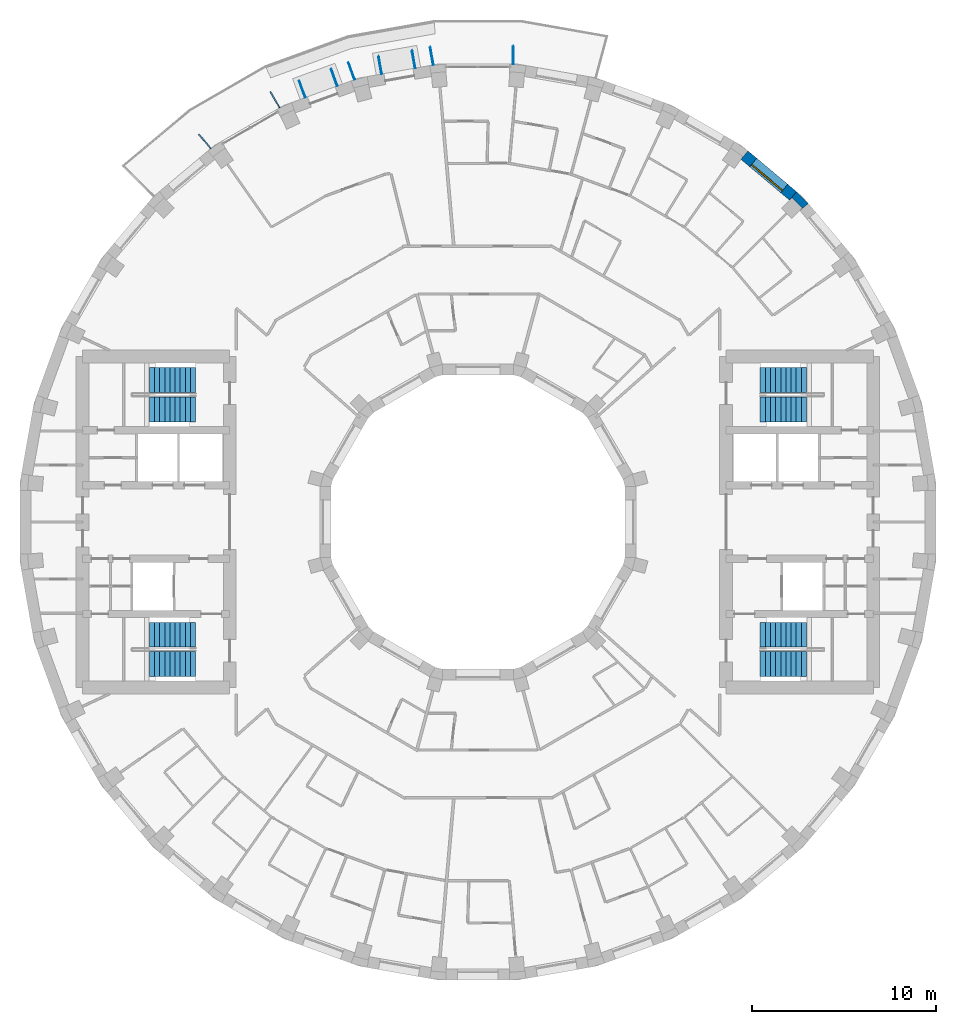
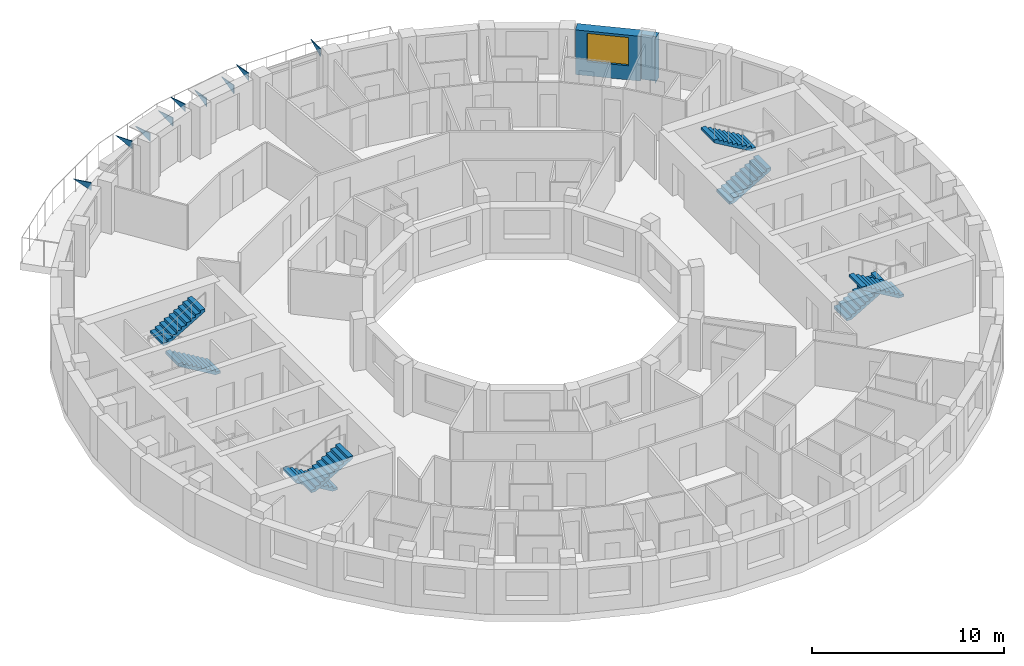
# One storey, part 13 of 14: 9 discrete accessories, 8 stair flights, 2 walls, 1 window, 1 opening, 4 elements without a shape of their own.
"""IFC4 building model written with IfcOpenShell, lengths in metres."""

from ifc_helpers import new_model, si_unit, direction, frame, frame_2d, origin, place, context, subcontext, project, spatial, polyline, rectangle, outline, extrude, material, layer, layer_set, type_object, element, fill, aggregate, save


model = new_model("IFC4")

# Units and contexts
model_context = context("Model", 3, precision=1e-05, world=origin(), true_north=direction((0.0, 1.0)))
body_context = subcontext(model_context, "Body", "Model", "MODEL_VIEW")
ifc_project = project(units=[si_unit("LENGTHUNIT", "METRE"), si_unit("AREAUNIT", "SQUARE_METRE"), si_unit("VOLUMEUNIT", "CUBIC_METRE"), si_unit("PLANEANGLEUNIT", "RADIAN"), si_unit("MASSUNIT", "GRAM", prefix="KILO")], contexts=[model_context])

# Site, building, storey
site_placement = place(None, origin())
site = spatial("IfcSite", under=ifc_project, at=site_placement, CompositionType="ELEMENT")
building_placement = place(site_placement, origin())
building = spatial("IfcBuilding", under=site, at=building_placement, Name="Saqina Gate Tower", CompositionType="ELEMENT")
storey_placement = place(building_placement, frame((0.0, 0.0, 210.300048828125)))
storey = spatial("IfcBuildingStorey", under=building, at=storey_placement, Name="L60", CompositionType="ELEMENT", Elevation=210.300048828125)

# Wall
ifc_material_1 = material(Name="Brick masonry (buff)", Category="masonry")
wall_type_1 = type_object("IfcWallType", Name="BRICK PIER COPING BUFF", PredefinedType="SOLIDWALL", material=ifc_material_1)
wall_1_placement = place(storey_placement, origin())
element("IfcWall", 1, at=wall_1_placement, inside=storey, type_object=wall_type_1, Name="Pier cap L60 column 5", PredefinedType="SOLIDWALL", context=body_context, shape_type="SweptSolid", body=[
    extrude(outline(polyline([(17.329833984375, 17.969482421875), (16.944091796875, 17.510009765625), (17.07666015625, 17.642333984375), (17.642333984375, 17.07666015625), (17.510009765625, 16.944091796875), (17.969482421875, 17.329833984375), (17.329833984375, 17.969482421875)])), origin(), (0.0, 0.0, 1.0), 2.849853515625),
])

# Wall, opening, window
ifc_material_2 = material(Name="Brick masonry (buff)", Category="masonry")
ifc_layer_1 = layer(ifc_material_2, 0.60009765625)
ifc_layer_set_1 = layer_set([ifc_layer_1], Name="FW-BRICK-BUFF")
wall_type_2 = type_object("IfcWallType", Name="FW-BRICK-BUFF", PredefinedType="SOLIDWALL", material=ifc_layer_set_1)
wall_2_placement = place(storey_placement, frame((17.136962890625, 17.73974609375, 0.0), z_axis=(0.0, 0.0, 1.0), x_axis=(-0.766058884809, 0.642770398358, 0.0)))
wall_2 = element("IfcWall", 2, at=wall_2_placement, inside=storey, type_object=wall_type_2, Name="Facade wall L60 facet 5", PredefinedType="SOLIDWALL", context=body_context, shape_type="SweptSolid", body=[
    extrude(rectangle(XDim=3.449462890625, YDim=0.60009765625, at=frame_2d((1.724609375, 0.0))), origin(), (0.0, 0.0, 1.0), 2.849853515625),
])
opening_placement = place(wall_2_placement, frame((0.625, 0.0, 0.89990234375)))
opening = element("IfcOpeningElement", 3, at=opening_placement, cuts=wall_2, Name="Opening G18-W03", PredefinedType="OPENING", context=body_context, shape_type="SweptSolid", body=[
    extrude(rectangle(XDim=2.199951171875, YDim=1.800048828125, at=frame_2d((1.10009765625, 0.89990234375))), frame((0.0, 0.31201171875, 0.0), z_axis=(0.0, -1.0, 0.0), x_axis=(1.0, 0.0, 0.0)), (0.0, 0.0, 1.0), 0.6240234375),
])
ifc_material_3 = material(Name="Aluminium glazing", Category="aluminium")
window_type = type_object("IfcWindowType", Name="WN-C", PartitioningType="SINGLE_PANEL", PredefinedType="WINDOW", material=ifc_material_3)
window_placement = place(opening_placement, origin())
window = element("IfcWindow", 4, at=window_placement, inside=storey, type_object=window_type, Name="Window L60 facet 5", OverallHeight=1.800048828125, OverallWidth=2.199951171875, PartitioningType="SINGLE_PANEL", PredefinedType="WINDOW", context=body_context, shape_type="SweptSolid", body=[
    extrude(rectangle(XDim=2.199951171875, YDim=1.800048828125, at=frame_2d((1.10009765625, 0.89990234375))), frame((0.0, 0.179931640625, 0.0), z_axis=(0.0, -1.0, 0.0), x_axis=(1.0, 0.0, 0.0)), (0.0, 0.0, 1.0), 0.06005859375),
])
fill(opening, window)

# Stair, stair flights
ifc_material_4 = material(Name="Concrete C40/50", Category="concrete")
stair_type = type_object("IfcStairType", Name="EXIT STAIR", PredefinedType="HALF_TURN_STAIR", material=ifc_material_4)
stair_1_placement = place(storey_placement, origin())
stair_1 = element("IfcStair", 5, at=stair_1_placement, inside=storey, type_object=stair_type, Name="EXIT STAIR 1", PredefinedType="HALF_TURN_STAIR")
ifc_material_5 = material(Name="Concrete C40/50", Category="concrete")
stair_flight_type = type_object("IfcStairFlightType", Name="EXIT STAIR FLIGHT", PredefinedType="STRAIGHT", material=ifc_material_5)
stair_flight_1_placement = place(storey_placement, frame((15.35009765625, 6.125, 0.0), z_axis=(0.0, 0.0, 1.0), x_axis=(1.0, 0.0, 0.0)))
stair_flight_1 = element("IfcStairFlight", 6, at=stair_flight_1_placement, type_object=stair_flight_type, Name="EXIT STAIR 1 FLIGHT 1", NumberOfRisers=10, NumberOfTreads=9, PredefinedType="STRAIGHT", RiserHeight=0.165, TreadLength=0.28, context=body_context, shape_type="SweptSolid", body=[
    extrude(outline(polyline([(0.0, 0.0), (0.0, 0.1650390625), (0.280029296875, 0.1650390625), (0.280029296875, 0.330078125), (0.56005859375, 0.330078125), (0.56005859375, 0.4951171875), (0.840087890625, 0.4951171875), (0.840087890625, 0.659912109375), (1.1201171875, 0.659912109375), (1.1201171875, 0.824951171875), (1.39990234375, 0.824951171875), (1.39990234375, 0.989990234375), (1.679931640625, 0.989990234375), (1.679931640625, 1.155029296875), (1.9599609375, 1.155029296875), (1.9599609375, 1.320068359375), (2.239990234375, 1.320068359375), (2.239990234375, 1.485107421875), (2.52001953125, 1.485107421875), (2.52001953125, 1.64990234375), (2.52001953125, 1.31103515625), (0.295166015625, 0.0), (0.0, 0.0)])), frame((0.0, 0.675048828125, 0.0), z_axis=(0.0, -1.0, 0.0), x_axis=(1.0, 0.0, 0.0)), (0.0, 0.0, 1.0), 1.35009765625),
])
stair_flight_2_placement = place(storey_placement, frame((17.8701171875, 7.72509765625, 1.64990234375), z_axis=(0.0, 0.0, 1.0), x_axis=(-1.0, 0.0, 0.0)))
stair_flight_2 = element("IfcStairFlight", 7, at=stair_flight_2_placement, type_object=stair_flight_type, Name="EXIT STAIR 1 FLIGHT 2", NumberOfRisers=10, NumberOfTreads=9, PredefinedType="STRAIGHT", RiserHeight=0.165, TreadLength=0.28, context=body_context, shape_type="SweptSolid", body=[
    extrude(outline(polyline([(0.0, 0.0), (0.0, 0.1650390625), (0.280029296875, 0.1650390625), (0.280029296875, 0.330078125), (0.56005859375, 0.330078125), (0.56005859375, 0.4951171875), (0.840087890625, 0.4951171875), (0.840087890625, 0.659912109375), (1.1201171875, 0.659912109375), (1.1201171875, 0.824951171875), (1.39990234375, 0.824951171875), (1.39990234375, 0.989990234375), (1.679931640625, 0.989990234375), (1.679931640625, 1.155029296875), (1.9599609375, 1.155029296875), (1.9599609375, 1.320068359375), (2.239990234375, 1.320068359375), (2.239990234375, 1.485107421875), (2.52001953125, 1.485107421875), (2.52001953125, 1.64990234375), (2.52001953125, 1.31103515625), (0.295166015625, 0.0), (0.0, 0.0)])), frame((0.0, 0.675048828125, 0.0), z_axis=(0.0, -1.0, 0.0), x_axis=(1.0, 0.0, 0.0)), (0.0, 0.0, 1.0), 1.35009765625),
])
aggregate(stair_1, [stair_flight_1, stair_flight_2])

stair_2_placement = place(storey_placement, origin())
stair_2 = element("IfcStair", 8, at=stair_2_placement, inside=storey, type_object=stair_type, Name="EXIT STAIR 2", PredefinedType="HALF_TURN_STAIR")
stair_flight_3_placement = place(storey_placement, frame((15.35009765625, -6.125, 0.0), z_axis=(0.0, 0.0, 1.0), x_axis=(1.0, 0.0, 0.0)))
stair_flight_3 = element("IfcStairFlight", 9, at=stair_flight_3_placement, type_object=stair_flight_type, Name="EXIT STAIR 2 FLIGHT 1", NumberOfRisers=10, NumberOfTreads=9, PredefinedType="STRAIGHT", RiserHeight=0.165, TreadLength=0.28, context=body_context, shape_type="SweptSolid", body=[
    extrude(outline(polyline([(0.0, 0.0), (0.0, 0.1650390625), (0.280029296875, 0.1650390625), (0.280029296875, 0.330078125), (0.56005859375, 0.330078125), (0.56005859375, 0.4951171875), (0.840087890625, 0.4951171875), (0.840087890625, 0.659912109375), (1.1201171875, 0.659912109375), (1.1201171875, 0.824951171875), (1.39990234375, 0.824951171875), (1.39990234375, 0.989990234375), (1.679931640625, 0.989990234375), (1.679931640625, 1.155029296875), (1.9599609375, 1.155029296875), (1.9599609375, 1.320068359375), (2.239990234375, 1.320068359375), (2.239990234375, 1.485107421875), (2.52001953125, 1.485107421875), (2.52001953125, 1.64990234375), (2.52001953125, 1.31103515625), (0.295166015625, 0.0), (0.0, 0.0)])), frame((0.0, 0.675048828125, 0.0), z_axis=(0.0, -1.0, 0.0), x_axis=(1.0, 0.0, 0.0)), (0.0, 0.0, 1.0), 1.35009765625),
])
stair_flight_4_placement = place(storey_placement, frame((17.8701171875, -7.72509765625, 1.64990234375), z_axis=(0.0, 0.0, 1.0), x_axis=(-1.0, 0.0, 0.0)))
stair_flight_4 = element("IfcStairFlight", 10, at=stair_flight_4_placement, type_object=stair_flight_type, Name="EXIT STAIR 2 FLIGHT 2", NumberOfRisers=10, NumberOfTreads=9, PredefinedType="STRAIGHT", RiserHeight=0.165, TreadLength=0.28, context=body_context, shape_type="SweptSolid", body=[
    extrude(outline(polyline([(0.0, 0.0), (0.0, 0.1650390625), (0.280029296875, 0.1650390625), (0.280029296875, 0.330078125), (0.56005859375, 0.330078125), (0.56005859375, 0.4951171875), (0.840087890625, 0.4951171875), (0.840087890625, 0.659912109375), (1.1201171875, 0.659912109375), (1.1201171875, 0.824951171875), (1.39990234375, 0.824951171875), (1.39990234375, 0.989990234375), (1.679931640625, 0.989990234375), (1.679931640625, 1.155029296875), (1.9599609375, 1.155029296875), (1.9599609375, 1.320068359375), (2.239990234375, 1.320068359375), (2.239990234375, 1.485107421875), (2.52001953125, 1.485107421875), (2.52001953125, 1.64990234375), (2.52001953125, 1.31103515625), (0.295166015625, 0.0), (0.0, 0.0)])), frame((0.0, 0.675048828125, 0.0), z_axis=(0.0, -1.0, 0.0), x_axis=(1.0, 0.0, 0.0)), (0.0, 0.0, 1.0), 1.35009765625),
])
aggregate(stair_2, [stair_flight_3, stair_flight_4])

stair_3_placement = place(storey_placement, origin())
stair_3 = element("IfcStair", 11, at=stair_3_placement, inside=storey, type_object=stair_type, Name="EXIT STAIR 3", PredefinedType="HALF_TURN_STAIR")
stair_flight_5_placement = place(storey_placement, frame((-15.35009765625, 6.125, 0.0), z_axis=(0.0, 0.0, 1.0), x_axis=(-1.0, 0.0, 0.0)))
stair_flight_5 = element("IfcStairFlight", 12, at=stair_flight_5_placement, type_object=stair_flight_type, Name="EXIT STAIR 3 FLIGHT 1", NumberOfRisers=10, NumberOfTreads=9, PredefinedType="STRAIGHT", RiserHeight=0.165, TreadLength=0.28, context=body_context, shape_type="SweptSolid", body=[
    extrude(outline(polyline([(0.0, 0.0), (0.0, 0.1650390625), (0.280029296875, 0.1650390625), (0.280029296875, 0.330078125), (0.56005859375, 0.330078125), (0.56005859375, 0.4951171875), (0.840087890625, 0.4951171875), (0.840087890625, 0.659912109375), (1.1201171875, 0.659912109375), (1.1201171875, 0.824951171875), (1.39990234375, 0.824951171875), (1.39990234375, 0.989990234375), (1.679931640625, 0.989990234375), (1.679931640625, 1.155029296875), (1.9599609375, 1.155029296875), (1.9599609375, 1.320068359375), (2.239990234375, 1.320068359375), (2.239990234375, 1.485107421875), (2.52001953125, 1.485107421875), (2.52001953125, 1.64990234375), (2.52001953125, 1.31103515625), (0.295166015625, 0.0), (0.0, 0.0)])), frame((0.0, 0.675048828125, 0.0), z_axis=(0.0, -1.0, 0.0), x_axis=(1.0, 0.0, 0.0)), (0.0, 0.0, 1.0), 1.35009765625),
])
stair_flight_6_placement = place(storey_placement, frame((-17.8701171875, 7.72509765625, 1.64990234375), z_axis=(0.0, 0.0, 1.0), x_axis=(1.0, 0.0, 0.0)))
stair_flight_6 = element("IfcStairFlight", 13, at=stair_flight_6_placement, type_object=stair_flight_type, Name="EXIT STAIR 3 FLIGHT 2", NumberOfRisers=10, NumberOfTreads=9, PredefinedType="STRAIGHT", RiserHeight=0.165, TreadLength=0.28, context=body_context, shape_type="SweptSolid", body=[
    extrude(outline(polyline([(0.0, 0.0), (0.0, 0.1650390625), (0.280029296875, 0.1650390625), (0.280029296875, 0.330078125), (0.56005859375, 0.330078125), (0.56005859375, 0.4951171875), (0.840087890625, 0.4951171875), (0.840087890625, 0.659912109375), (1.1201171875, 0.659912109375), (1.1201171875, 0.824951171875), (1.39990234375, 0.824951171875), (1.39990234375, 0.989990234375), (1.679931640625, 0.989990234375), (1.679931640625, 1.155029296875), (1.9599609375, 1.155029296875), (1.9599609375, 1.320068359375), (2.239990234375, 1.320068359375), (2.239990234375, 1.485107421875), (2.52001953125, 1.485107421875), (2.52001953125, 1.64990234375), (2.52001953125, 1.31103515625), (0.295166015625, 0.0), (0.0, 0.0)])), frame((0.0, 0.675048828125, 0.0), z_axis=(0.0, -1.0, 0.0), x_axis=(1.0, 0.0, 0.0)), (0.0, 0.0, 1.0), 1.35009765625),
])
aggregate(stair_3, [stair_flight_5, stair_flight_6])

stair_4_placement = place(storey_placement, origin())
stair_4 = element("IfcStair", 14, at=stair_4_placement, inside=storey, type_object=stair_type, Name="EXIT STAIR 4", PredefinedType="HALF_TURN_STAIR")
stair_flight_7_placement = place(storey_placement, frame((-15.35009765625, -6.125, 0.0), z_axis=(0.0, 0.0, 1.0), x_axis=(-1.0, 0.0, 0.0)))
stair_flight_7 = element("IfcStairFlight", 15, at=stair_flight_7_placement, type_object=stair_flight_type, Name="EXIT STAIR 4 FLIGHT 1", NumberOfRisers=10, NumberOfTreads=9, PredefinedType="STRAIGHT", RiserHeight=0.165, TreadLength=0.28, context=body_context, shape_type="SweptSolid", body=[
    extrude(outline(polyline([(0.0, 0.0), (0.0, 0.1650390625), (0.280029296875, 0.1650390625), (0.280029296875, 0.330078125), (0.56005859375, 0.330078125), (0.56005859375, 0.4951171875), (0.840087890625, 0.4951171875), (0.840087890625, 0.659912109375), (1.1201171875, 0.659912109375), (1.1201171875, 0.824951171875), (1.39990234375, 0.824951171875), (1.39990234375, 0.989990234375), (1.679931640625, 0.989990234375), (1.679931640625, 1.155029296875), (1.9599609375, 1.155029296875), (1.9599609375, 1.320068359375), (2.239990234375, 1.320068359375), (2.239990234375, 1.485107421875), (2.52001953125, 1.485107421875), (2.52001953125, 1.64990234375), (2.52001953125, 1.31103515625), (0.295166015625, 0.0), (0.0, 0.0)])), frame((0.0, 0.675048828125, 0.0), z_axis=(0.0, -1.0, 0.0), x_axis=(1.0, 0.0, 0.0)), (0.0, 0.0, 1.0), 1.35009765625),
])
stair_flight_8_placement = place(storey_placement, frame((-17.8701171875, -7.72509765625, 1.64990234375), z_axis=(0.0, 0.0, 1.0), x_axis=(1.0, 0.0, 0.0)))
stair_flight_8 = element("IfcStairFlight", 16, at=stair_flight_8_placement, type_object=stair_flight_type, Name="EXIT STAIR 4 FLIGHT 2", NumberOfRisers=10, NumberOfTreads=9, PredefinedType="STRAIGHT", RiserHeight=0.165, TreadLength=0.28, context=body_context, shape_type="SweptSolid", body=[
    extrude(outline(polyline([(0.0, 0.0), (0.0, 0.1650390625), (0.280029296875, 0.1650390625), (0.280029296875, 0.330078125), (0.56005859375, 0.330078125), (0.56005859375, 0.4951171875), (0.840087890625, 0.4951171875), (0.840087890625, 0.659912109375), (1.1201171875, 0.659912109375), (1.1201171875, 0.824951171875), (1.39990234375, 0.824951171875), (1.39990234375, 0.989990234375), (1.679931640625, 0.989990234375), (1.679931640625, 1.155029296875), (1.9599609375, 1.155029296875), (1.9599609375, 1.320068359375), (2.239990234375, 1.320068359375), (2.239990234375, 1.485107421875), (2.52001953125, 1.485107421875), (2.52001953125, 1.64990234375), (2.52001953125, 1.31103515625), (0.295166015625, 0.0), (0.0, 0.0)])), frame((0.0, 0.675048828125, 0.0), z_axis=(0.0, -1.0, 0.0), x_axis=(1.0, 0.0, 0.0)), (0.0, 0.0, 1.0), 1.35009765625),
])
aggregate(stair_4, [stair_flight_7, stair_flight_8])

# Discrete accessories
ifc_material_6 = material(Name="Galvanised steel", Category="steel")
ifc_layer_2 = layer(ifc_material_6, 0.050048828125)
ifc_layer_set_2 = layer_set([ifc_layer_2], Name="BR-AWNING")
discrete_accessory_type_1 = type_object("IfcDiscreteAccessoryType", Name="BR-AWNING", PredefinedType="BRACKET", material=ifc_layer_set_2)
discrete_accessory_1_placement = place(storey_placement, frame((-3.4384765625, 24.682861328125, 1.974853515625), z_axis=(-0.984813043937, -0.173618168668, 0.0), x_axis=(0.0, 0.0, 1.0)))
element("IfcDiscreteAccessory", 17, at=discrete_accessory_1_placement, inside=storey, type_object=discrete_accessory_type_1, Name="Awning bracket L60 facet 10", PredefinedType="BRACKET", context=body_context, shape_type="SweptSolid", body=[
    extrude(outline(polyline([(0.0, 0.0), (0.550048828125, 0.0), (0.550048828125, 0.9998031064747768), (0.0, 0.0)])), origin(), (0.0, 0.0, -1.0), 0.050048828125),
])
discrete_accessory_2_placement = place(storey_placement, frame((-5.260009765625, 24.361572265625, 1.974853515625), z_axis=(-0.984778643263, -0.173813186416, 0.0), x_axis=(0.0, 0.0, 1.0)))
element("IfcDiscreteAccessory", 18, at=discrete_accessory_2_placement, inside=storey, type_object=discrete_accessory_type_1, Name="Awning bracket L60 facet 10", PredefinedType="BRACKET", context=body_context, shape_type="SweptSolid", body=[
    extrude(outline(polyline([(0.0, 0.0), (0.550048828125, 0.0), (0.550048828125, 1.0000859462043912), (0.0, 0.0)])), origin(), (0.0, 0.0, -1.0), 0.050048828125),
])
for number, where, z_axis, x_axis, name in (
    (19, (-7.67236328125, 23.710693359375, 1.974853515625), (-0.939686455819, -0.342037080957, 0.0), (0.0, 0.0, 1.0), "Awning bracket L60 facet 11"),
    (20, (-9.41064453125, 23.077880859375, 1.974853515625), (-0.939686455819, -0.342037080957, 0.0), (0.0, 0.0, 1.0), "Awning bracket L60 facet 11"),
):
    element("IfcDiscreteAccessory", number, at=place(storey_placement, frame(where, z_axis=z_axis, x_axis=x_axis)), inside=storey, type_object=discrete_accessory_type_1, Name=name, PredefinedType="BRACKET", context=body_context, shape_type="SweptSolid", body=[
        extrude(outline(polyline([(0.0, 0.0), (0.550048828125, 0.0), (0.550048828125, 1.000011503630275), (0.0, 0.0)])), origin(), (0.0, 0.0, -1.0), 0.050048828125),
    ])
ifc_material_7 = material(Name="Galvanised steel", Category="steel")
ifc_layer_3 = layer(ifc_material_7, 0.050048828125)
ifc_layer_set_3 = layer_set([ifc_layer_3], Name="BR-GUSSET")
discrete_accessory_type_2 = type_object("IfcDiscreteAccessoryType", Name="BR-GUSSET", PredefinedType="BRACKET", material=ifc_layer_set_3)
discrete_accessory_3_placement = place(storey_placement, frame((1.90380859375, 24.90478515625, 2.349853515625), z_axis=(-1.0, 0.0, 0.0), x_axis=(0.0, 0.0, 1.0)))
element("IfcDiscreteAccessory", 21, at=discrete_accessory_3_placement, inside=storey, type_object=discrete_accessory_type_2, Name="Terrace slab bracket L61 1", PredefinedType="BRACKET", context=body_context, shape_type="SweptSolid", body=[
    extrude(outline(polyline([(0.0, 0.0), (0.5, 0.0), (0.5, 1.0), (0.0, 0.0)])), origin(), (0.0, 0.0, -1.0), 0.050048828125),
])
discrete_accessory_4_placement = place(storey_placement, frame((-2.44970703125, 24.857177734375, 2.349853515625), z_axis=(-0.984813043937, -0.173618168668, 0.0), x_axis=(0.0, 0.0, 1.0)))
element("IfcDiscreteAccessory", 22, at=discrete_accessory_4_placement, inside=storey, type_object=discrete_accessory_type_2, Name="Terrace slab bracket L61 2", PredefinedType="BRACKET", context=body_context, shape_type="SweptSolid", body=[
    extrude(outline(polyline([(0.0, 0.0), (0.5, 0.0), (0.5, 0.9998031064747768), (0.0, 0.0)])), origin(), (0.0, 0.0, -1.0), 0.050048828125),
])
discrete_accessory_5_placement = place(storey_placement, frame((-6.72900390625, 24.05419921875, 2.349853515625), z_axis=(-0.939764905391, -0.341821477669, 0.0), x_axis=(0.0, 0.0, 1.0)))
element("IfcDiscreteAccessory", 23, at=discrete_accessory_5_placement, inside=storey, type_object=discrete_accessory_type_2, Name="Terrace slab bracket L61 3", PredefinedType="BRACKET", context=body_context, shape_type="SweptSolid", body=[
    extrude(outline(polyline([(0.0, 0.0), (0.5, 0.0), (0.5, 0.999928024801219), (0.0, 0.0)])), origin(), (0.0, 0.0, -1.0), 0.050048828125),
])
discrete_accessory_6_placement = place(storey_placement, frame((-10.8037109375, 22.520263671875, 2.349853515625), z_axis=(-0.866010750942, -0.50002537861, 0.0), x_axis=(0.0, 0.0, 1.0)))
element("IfcDiscreteAccessory", 24, at=discrete_accessory_6_placement, inside=storey, type_object=discrete_accessory_type_2, Name="Terrace slab bracket L61 4", PredefinedType="BRACKET", context=body_context, shape_type="SweptSolid", body=[
    extrude(outline(polyline([(0.0, 0.0), (0.5, 0.0), (0.5, 0.9999492453569568), (0.0, 0.0)])), origin(), (0.0, 0.0, -1.0), 0.050048828125),
])
discrete_accessory_7_placement = place(storey_placement, frame((-14.550048828125, 20.302001953125, 2.349853515625), z_axis=(-0.766055819685, -0.64277405138, 0.0), x_axis=(0.0, 0.0, 1.0)))
element("IfcDiscreteAccessory", 25, at=discrete_accessory_7_placement, inside=storey, type_object=discrete_accessory_type_2, Name="Terrace slab bracket L61 5", PredefinedType="BRACKET", context=body_context, shape_type="SweptSolid", body=[
    extrude(outline(polyline([(0.0, 0.0), (0.5, 0.0), (0.5, 1.0000750096322275), (0.0, 0.0)])), origin(), (0.0, 0.0, -1.0), 0.050048828125),
])

save(model, "model.ifc")
